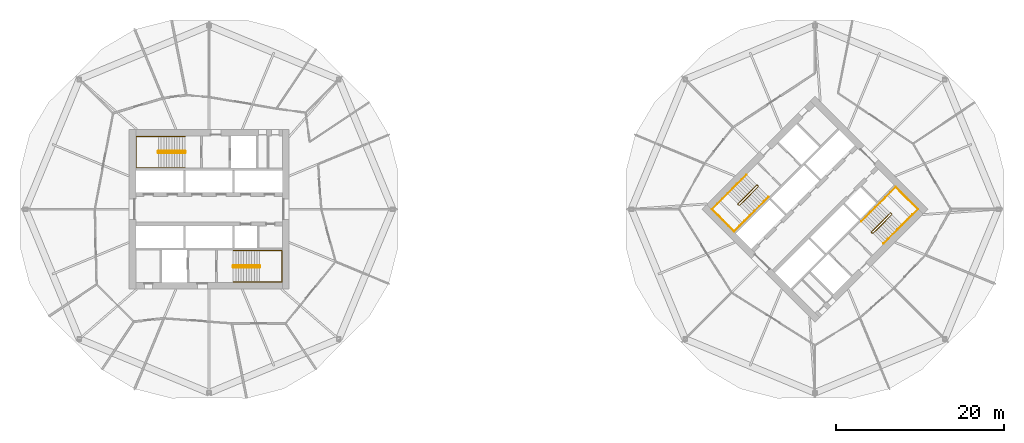
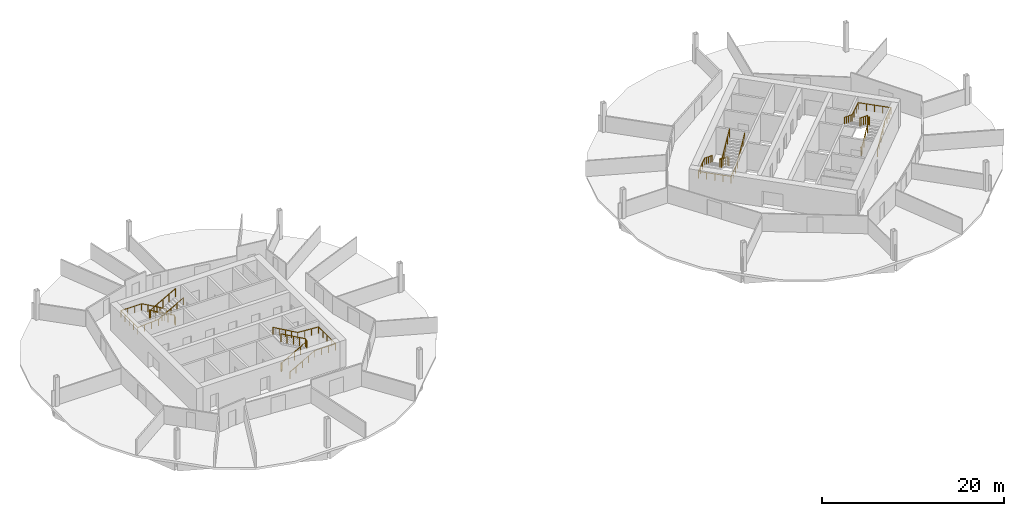
# One storey, part 9 of 9: 8 railings.
"""IFC4 building model written with IfcOpenShell, lengths in metres."""

import ifcopenshell
import ifcopenshell.guid

model = None  # the IFC model being written
_history = None  # IfcOwnerHistory: only IFC2X3 demands one
_inside = {}  # id of a spatial element -> (the spatial element, [elements in it])
_under = {}  # id of a project, library or spatial element -> (it, [spatial elements below it])
_declared = {}  # id of a project -> (the project, [libraries it declares])
_typed = {}  # id of a type object -> (the type object, [elements of that type])
_made_of = {}  # id of a material, layer set ... -> (it, [elements and type objects made of it])


def new_model(schema):
    """Start an empty IFC model of exactly this schema.

    Asked for "IFC4X3", IfcOpenShell would pick the latest addendum, in which some entities
    have other attributes; the version numbers below select the first issue.
    IFC2X3 requires an IfcOwnerHistory on every rooted entity: one is made here for all.
    """
    global model, _history
    if schema == "IFC4X3":
        model = ifcopenshell.file(schema_version=(4, 3, 0, 0))
    else:
        model = ifcopenshell.file(schema=schema)
    _inside.clear()
    _under.clear()
    _declared.clear()
    _typed.clear()
    _made_of.clear()
    _history = None
    if model.schema == "IFC2X3":
        org = make("IfcOrganization", Name="unknown")
        user = make(
            "IfcPersonAndOrganization",
            ThePerson=make("IfcPerson", FamilyName="unknown"),
            TheOrganization=org,
        )
        app = make(
            "IfcApplication",
            ApplicationDeveloper=org,
            Version="unknown",
            ApplicationFullName="unknown",
            ApplicationIdentifier="unknown",
        )
        _history = make(
            "IfcOwnerHistory",
            OwningUser=user,
            OwningApplication=app,
            ChangeAction="ADDED",
            CreationDate=0,
        )
    return model


def make(cls, **values):
    """One entity of the class cls with the attributes given. An attribute that is None is left unset."""
    return model.create_entity(
        cls, **{name: value for name, value in values.items() if value is not None}
    )


def rooted(cls, **values):
    """An entity with a GlobalId (a new one), such as an element, a storey or a relation."""
    return make(cls, GlobalId=ifcopenshell.guid.new(), OwnerHistory=_history, **values)


def si_unit(unit_type, name, prefix=None):
    """IfcSIUnit, for example si_unit("LENGTHUNIT", "METRE", prefix="MILLI")."""
    return make("IfcSIUnit", UnitType=unit_type, Prefix=prefix, Name=name)


def assignment(units):
    """IfcUnitAssignment: the units of a project."""
    return None if units is None else make("IfcUnitAssignment", Units=units)


def point(xyz):
    """IfcCartesianPoint."""
    return None if xyz is None else make("IfcCartesianPoint", Coordinates=xyz)


def direction(xyz):
    """IfcDirection."""
    return None if xyz is None else make("IfcDirection", DirectionRatios=xyz)


def frame(location, z_axis=None, x_axis=None):
    """IfcAxis2Placement3D, a coordinate frame: its origin and axes. An axis left out is left unset."""
    return make(
        "IfcAxis2Placement3D",
        Location=point(location),
        Axis=direction(z_axis),
        RefDirection=direction(x_axis),
    )


def frame_2d(location, x_axis=None):
    """IfcAxis2Placement2D, a coordinate frame in the plane: its origin and x axis."""
    return make(
        "IfcAxis2Placement2D", Location=point(location), RefDirection=direction(x_axis)
    )


def origin():
    """The frame at (0, 0, 0) with its axes left unset."""
    return frame((0.0, 0.0, 0.0))


def origin_2d():
    """The frame at (0, 0) in the plane with its x axis left unset."""
    return frame_2d((0.0, 0.0))


def place(relative_to, where):
    """IfcLocalPlacement: puts the frame where relative to a parent placement (None: the world)."""
    return make(
        "IfcLocalPlacement", PlacementRelTo=relative_to, RelativePlacement=where
    )


def context(
    kind, dimensions, precision=None, world=None, true_north=None, identifier=None
):
    """IfcGeometricRepresentationContext, for example the 3D "Model" context."""
    return make(
        "IfcGeometricRepresentationContext",
        ContextIdentifier=identifier,
        ContextType=kind,
        CoordinateSpaceDimension=dimensions,
        Precision=precision,
        WorldCoordinateSystem=world,
        TrueNorth=true_north,
    )


def subcontext(parent, identifier, kind, view, scale=None):
    """IfcGeometricRepresentationSubContext, for example "Body" below "Model"."""
    return make(
        "IfcGeometricRepresentationSubContext",
        ContextIdentifier=identifier,
        ContextType=kind,
        ParentContext=parent,
        TargetScale=scale,
        TargetView=view,
    )


def project(units=None, contexts=None):
    """IfcProject with its units and contexts."""
    return rooted(
        "IfcProject",
        Name="project",
        RepresentationContexts=contexts,
        UnitsInContext=assignment(units),
    )


def spatial(cls, under=None, at=None, **own):
    """A site, building, storey or space (cls), placed at a placement, below another one or the project."""
    s = rooted(cls, ObjectPlacement=at, **own)
    if under is not None:
        _under.setdefault(under.id(), (under, []))[1].append(s)
    return s


def profile(cls, at=None, kind="AREA", **sizes):
    """A parametric profile (cls). Its sizes go by their IFC names, for example OverallWidth=200.0."""
    return make(cls, ProfileType=kind, Position=at, **sizes)


def circle(**sizes):
    """IfcCircleProfileDef."""
    return profile("IfcCircleProfileDef", **sizes)


def extrude(swept, where, along, depth):
    """IfcExtrudedAreaSolid: the profile swept, set in the frame where, extruded along a direction by depth."""
    return make(
        "IfcExtrudedAreaSolid",
        SweptArea=swept,
        Position=where,
        ExtrudedDirection=direction(along),
        Depth=depth,
    )


def shape(context_of_items, identifier, shape_type, items):
    """IfcShapeRepresentation: the items that make up one representation, for example the "Body"."""
    return make(
        "IfcShapeRepresentation",
        ContextOfItems=context_of_items,
        RepresentationIdentifier=identifier,
        RepresentationType=shape_type,
        Items=items,
    )


def material(Name=None, Category=None):
    """IfcMaterial."""
    return make("IfcMaterial", Name=Name, Category=Category)


def made_of(thing, what):
    """Note that an element or type object is made of a material, layer set ...; save() writes the relation."""
    if what is not None:
        _made_of.setdefault(what.id(), (what, []))[1].append(thing)
    return thing


def type_object(cls, material=None, **own):
    """A type object (cls), such as IfcWallType, which elements share."""
    return made_of(rooted(cls, **own), material)


def element(
    cls,
    number,
    at=None,
    inside=None,
    cuts=None,
    type_object=None,
    material=None,
    context=None,
    identifier="Body",
    shape_type=None,
    held_by="IfcProductDefinitionShape",
    body=None,
    shapes=None,
    **own,
):
    """One element of the class cls, such as IfcWall. Its Tag is "e" and its number.

    at: its placement. inside: the storey or other place that contains it. cuts: it is an
    opening in that element (IfcRelVoidsElement). A single representation is given by context,
    identifier, shape_type and body (its items); several are given by shapes. held_by: the class
    of the entity that holds the representations. save() writes the other relations.
    """
    e = rooted(cls, Tag="e%d" % number, ObjectPlacement=at, **own)
    if body is not None:
        shapes = [shape(context, identifier, shape_type, body)]
    if shapes is not None:
        e.Representation = make(held_by, Representations=shapes)
    if inside is not None:
        _inside.setdefault(inside.id(), (inside, []))[1].append(e)
    if cuts is not None:
        rooted(
            "IfcRelVoidsElement", RelatingBuildingElement=cuts, RelatedOpeningElement=e
        )
    if type_object is not None:
        _typed.setdefault(type_object.id(), (type_object, []))[1].append(e)
    return made_of(e, material)


def aggregate(whole, parts):
    """IfcRelAggregates: a whole, such as a stair, and the parts it consists of."""
    return rooted("IfcRelAggregates", RelatingObject=whole, RelatedObjects=parts)


def save(model, path):
    """Write the relations noted so far, then the file.

    IfcRelAggregates (storeys below a building ...), IfcRelContainedInSpatialStructure (elements
    in a storey), IfcRelDefinesByType, IfcRelAssociatesMaterial and IfcRelDeclares: one each for
    every whole, place, type object, material and project.
    """
    for whole, parts in _under.values():
        aggregate(whole, parts)
    for where, things in _inside.values():
        rooted(
            "IfcRelContainedInSpatialStructure",
            RelatedElements=things,
            RelatingStructure=where,
        )
    for kind, things in _typed.values():
        rooted("IfcRelDefinesByType", RelatedObjects=things, RelatingType=kind)
    for what, things in _made_of.values():
        rooted("IfcRelAssociatesMaterial", RelatedObjects=things, RelatingMaterial=what)
    for by, libraries in _declared.values():
        rooted("IfcRelDeclares", RelatingContext=by, RelatedDefinitions=libraries)
    model.write(path)


model = new_model("IFC4")

# Units and contexts
model_context = context("Model", 3, precision=1e-05, world=origin(), true_north=direction((0.0, 1.0)))
body_context = subcontext(model_context, "Body", "Model", "MODEL_VIEW")
ifc_project = project(units=[si_unit("LENGTHUNIT", "METRE"), si_unit("AREAUNIT", "SQUARE_METRE"), si_unit("VOLUMEUNIT", "CUBIC_METRE"), si_unit("PLANEANGLEUNIT", "RADIAN"), si_unit("MASSUNIT", "GRAM", prefix="KILO")], contexts=[model_context])

# Site, building, storey
site_placement = place(None, origin())
site = spatial("IfcSite", under=ifc_project, at=site_placement, CompositionType="ELEMENT")
building_placement = place(site_placement, origin())
building = spatial("IfcBuilding", under=site, at=building_placement, Name="Ogive Gate Towers", CompositionType="ELEMENT")
storey_placement = place(building_placement, frame((0.0, 0.0, 40.199951171875)))
storey = spatial("IfcBuildingStorey", under=building, at=storey_placement, Name="L08", CompositionType="ELEMENT", Elevation=40.199951171875)

# Railings
ifc_material = material(Name="Stainless steel", Category="steel")
railing_type_1 = type_object("IfcRailingType", Name="Stair guard 1100", PredefinedType="GUARDRAIL", material=ifc_material)
railing_1_placement = place(storey_placement, frame((-38.81494140625, 6.860107421875, 0.0)))
element("IfcRailing", 1, at=railing_1_placement, inside=storey, type_object=railing_type_1, Name="L08 ST1 stair guard 1", PredefinedType="GUARDRAIL", context=body_context, shape_type="SweptSolid", body=[
    extrude(circle(Radius=0.02392578125, at=origin_2d()), frame((0.0, 0.0, 1.076171875), z_axis=(0.0, -1.0, 0.0), x_axis=(1.0, 0.0, 0.0)), (0.0, 0.0, 1.0), 0.14501953125),
    extrude(circle(Radius=0.02392578125, at=origin_2d()), frame((0.0, -0.14501953125, 1.076171875), z_axis=(-0.186679794065, 0.726685247142, 0.661119660934), x_axis=(-0.968551454522, -0.24881334358, 0.0)), (0.0, 0.0, 1.0), 0.26806640625),
    extrude(circle(Radius=0.02392578125, at=origin_2d()), frame((-0.050048828125, 0.0498046875, 1.25341796875), z_axis=(-0.870572935281, 0.0, 0.492039393094), x_axis=(0.0, -1.0, 0.0)), (0.0, 0.0, 1.0), 3.602783203125),
    extrude(circle(Radius=0.02392578125, at=origin_2d()), frame((-3.1865234375, 0.0498046875, 3.02587890625), z_axis=(-0.707106781187, -0.707106781187, 0.0), x_axis=(0.707106781187, -0.707106781187, 0.0)), (0.0, 0.0, 1.0), 0.0703125),
    extrude(circle(Radius=0.02392578125, at=origin_2d()), frame((-3.236328125, 0.0, 3.02587890625), z_axis=(0.0, -1.0, 0.0), x_axis=(1.0, 0.0, 0.0)), (0.0, 0.0, 1.0), 0.14501953125),
    extrude(circle(Radius=0.02392578125, at=origin_2d()), frame((-3.236328125, -0.14501953125, 3.02587890625), z_axis=(0.260731885961, -0.262009983441, 0.929176868105), x_axis=(0.708833529934, 0.705375805398, 0.0)), (0.0, 0.0, 1.0), 0.19091796875),
    extrude(circle(Radius=0.02392578125, at=origin_2d()), frame((-3.1865234375, -0.195068359375, 3.20361328125), z_axis=(0.870572935281, 0.0, 0.492039393094), x_axis=(0.0, 1.0, 0.0)), (0.0, 0.0, 1.0), 3.602783203125),
    extrude(circle(Radius=0.02099609375, at=origin_2d()), origin(), (0.0, 0.0, 1.0), 1.052001953125),
    extrude(circle(Radius=0.02099609375, at=origin_2d()), frame((0.0, -0.14501953125, 0.0)), (0.0, 0.0, 1.0), 1.052001953125),
    extrude(circle(Radius=0.02099609375, at=origin_2d()), frame((-0.050048828125, 0.0498046875, 0.17724609375)), (0.0, 0.0, 1.0), 1.052001953125),
    extrude(circle(Radius=0.02099609375, at=origin_2d()), frame((-0.834228515625, 0.0498046875, 0.620361328125)), (0.0, 0.0, 1.0), 1.052001953125),
    extrude(circle(Radius=0.02099609375, at=origin_2d()), frame((-1.6181640625, 0.0498046875, 1.0634765625)), (0.0, 0.0, 1.0), 1.052001953125),
    extrude(circle(Radius=0.02099609375, at=origin_2d()), frame((-2.40234375, 0.0498046875, 1.5068359375)), (0.0, 0.0, 1.0), 1.052001953125),
    extrude(circle(Radius=0.02099609375, at=origin_2d()), frame((-3.1865234375, 0.0498046875, 1.949951171875)), (0.0, 0.0, 1.0), 1.052001953125),
    extrude(circle(Radius=0.02099609375, at=origin_2d()), frame((-3.236328125, 0.0, 1.949951171875)), (0.0, 0.0, 1.0), 1.052001953125),
    extrude(circle(Radius=0.02099609375, at=origin_2d()), frame((-3.236328125, -0.14501953125, 1.949951171875)), (0.0, 0.0, 1.0), 1.052001953125),
    extrude(circle(Radius=0.02099609375, at=origin_2d()), frame((-3.1865234375, -0.195068359375, 2.12744140625)), (0.0, 0.0, 1.0), 1.052001953125),
    extrude(circle(Radius=0.02099609375, at=origin_2d()), frame((-2.40234375, -0.195068359375, 2.570556640625)), (0.0, 0.0, 1.0), 1.052001953125),
    extrude(circle(Radius=0.02099609375, at=origin_2d()), frame((-1.6181640625, -0.195068359375, 3.013671875)), (0.0, 0.0, 1.0), 1.052001953125),
    extrude(circle(Radius=0.02099609375, at=origin_2d()), frame((-0.834228515625, -0.195068359375, 3.45703125)), (0.0, 0.0, 1.0), 1.052001953125),
    extrude(circle(Radius=0.02099609375, at=origin_2d()), frame((-0.050048828125, -0.195068359375, 3.900146484375)), (0.0, 0.0, 1.0), 1.052001953125),
])
railing_2_placement = place(storey_placement, frame((-33.18505859375, -6.860107421875, 0.0)))
element("IfcRailing", 2, at=railing_2_placement, inside=storey, type_object=railing_type_1, Name="L08 ST2 stair guard 1", PredefinedType="GUARDRAIL", context=body_context, shape_type="SweptSolid", body=[
    extrude(circle(Radius=0.02392578125, at=origin_2d()), frame((0.0, 0.0, 1.076171875), z_axis=(0.0, 1.0, 0.0), x_axis=(-1.0, 0.0, 0.0)), (0.0, 0.0, 1.0), 0.14501953125),
    extrude(circle(Radius=0.02392578125, at=origin_2d()), frame((0.0, 0.14501953125, 1.076171875), z_axis=(0.186679794065, -0.726685247142, 0.661119660934), x_axis=(0.968551454522, 0.24881334358, 0.0)), (0.0, 0.0, 1.0), 0.26806640625),
    extrude(circle(Radius=0.02392578125, at=origin_2d()), frame((0.050048828125, -0.0498046875, 1.25341796875), z_axis=(0.870572935281, 0.0, 0.492039393094), x_axis=(0.0, 1.0, 0.0)), (0.0, 0.0, 1.0), 3.602783203125),
    extrude(circle(Radius=0.02392578125, at=origin_2d()), frame((3.1865234375, -0.0498046875, 3.02587890625), z_axis=(0.707106781187, 0.707106781187, 0.0), x_axis=(-0.707106781187, 0.707106781187, 0.0)), (0.0, 0.0, 1.0), 0.0703125),
    extrude(circle(Radius=0.02392578125, at=origin_2d()), frame((3.236328125, 0.0, 3.02587890625), z_axis=(0.0, 1.0, 0.0), x_axis=(-1.0, 0.0, 0.0)), (0.0, 0.0, 1.0), 0.14501953125),
    extrude(circle(Radius=0.02392578125, at=origin_2d()), frame((3.236328125, 0.14501953125, 3.02587890625), z_axis=(-0.260731885961, 0.262009983441, 0.929176868105), x_axis=(-0.708833529934, -0.705375805398, 0.0)), (0.0, 0.0, 1.0), 0.19091796875),
    extrude(circle(Radius=0.02392578125, at=origin_2d()), frame((3.1865234375, 0.195068359375, 3.20361328125), z_axis=(-0.870572935281, 0.0, 0.492039393094), x_axis=(0.0, -1.0, 0.0)), (0.0, 0.0, 1.0), 3.602783203125),
    extrude(circle(Radius=0.02099609375, at=origin_2d()), origin(), (0.0, 0.0, 1.0), 1.052001953125),
    extrude(circle(Radius=0.02099609375, at=origin_2d()), frame((0.0, 0.14501953125, 0.0)), (0.0, 0.0, 1.0), 1.052001953125),
    extrude(circle(Radius=0.02099609375, at=origin_2d()), frame((0.050048828125, -0.0498046875, 0.17724609375)), (0.0, 0.0, 1.0), 1.052001953125),
    extrude(circle(Radius=0.02099609375, at=origin_2d()), frame((0.834228515625, -0.0498046875, 0.620361328125)), (0.0, 0.0, 1.0), 1.052001953125),
    extrude(circle(Radius=0.02099609375, at=origin_2d()), frame((1.6181640625, -0.0498046875, 1.0634765625)), (0.0, 0.0, 1.0), 1.052001953125),
    extrude(circle(Radius=0.02099609375, at=origin_2d()), frame((2.40234375, -0.0498046875, 1.5068359375)), (0.0, 0.0, 1.0), 1.052001953125),
    extrude(circle(Radius=0.02099609375, at=origin_2d()), frame((3.1865234375, -0.0498046875, 1.949951171875)), (0.0, 0.0, 1.0), 1.052001953125),
    extrude(circle(Radius=0.02099609375, at=origin_2d()), frame((3.236328125, 0.0, 1.949951171875)), (0.0, 0.0, 1.0), 1.052001953125),
    extrude(circle(Radius=0.02099609375, at=origin_2d()), frame((3.236328125, 0.14501953125, 1.949951171875)), (0.0, 0.0, 1.0), 1.052001953125),
    extrude(circle(Radius=0.02099609375, at=origin_2d()), frame((3.1865234375, 0.195068359375, 2.12744140625)), (0.0, 0.0, 1.0), 1.052001953125),
    extrude(circle(Radius=0.02099609375, at=origin_2d()), frame((2.40234375, 0.195068359375, 2.570556640625)), (0.0, 0.0, 1.0), 1.052001953125),
    extrude(circle(Radius=0.02099609375, at=origin_2d()), frame((1.6181640625, 0.195068359375, 3.013671875)), (0.0, 0.0, 1.0), 1.052001953125),
    extrude(circle(Radius=0.02099609375, at=origin_2d()), frame((0.834228515625, 0.195068359375, 3.45703125)), (0.0, 0.0, 1.0), 1.052001953125),
    extrude(circle(Radius=0.02099609375, at=origin_2d()), frame((0.050048828125, 0.195068359375, 3.900146484375)), (0.0, 0.0, 1.0), 1.052001953125),
])
railing_3_placement = place(storey_placement, frame((29.15869140625, 2.8603515625, 0.0)))
element("IfcRailing", 3, at=railing_3_placement, inside=storey, type_object=railing_type_1, Name="L08 ST1 stair guard 1", PredefinedType="GUARDRAIL", context=body_context, shape_type="SweptSolid", body=[
    extrude(circle(Radius=0.02392578125, at=origin_2d()), frame((0.0, 0.0, 1.076171875), z_axis=(0.707106781187, -0.707106781187, 0.0), x_axis=(0.707106781187, 0.707106781187, 0.0)), (0.0, 0.0, 1.0), 0.14501953125),
    extrude(circle(Radius=0.02392578125, at=origin_2d()), frame((0.1025390625, -0.1025390625, 1.076171875), z_axis=(-0.645571447971, 0.382425963537, 0.661050594114), x_axis=(-0.509669330572, -0.860370369942, 0.0)), (0.0, 0.0, 1.0), 0.26806640625),
    extrude(circle(Radius=0.02392578125, at=origin_2d()), frame((-0.070556640625, 0.0, 1.25341796875), z_axis=(-0.61558473135, -0.61558473135, 0.49204763698), x_axis=(0.707106781187, -0.707106781187, 0.0)), (0.0, 0.0, 1.0), 3.602783203125),
    extrude(circle(Radius=0.02392578125, at=origin_2d()), frame((-2.288330078125, -2.2177734375, 3.02587890625), z_axis=(0.0, -1.0, 0.0), x_axis=(1.0, 0.0, 0.0)), (0.0, 0.0, 1.0), 0.07080078125),
    extrude(circle(Radius=0.02392578125, at=origin_2d()), frame((-2.288330078125, -2.28857421875, 3.02587890625), z_axis=(0.707106781187, -0.707106781187, 0.0), x_axis=(0.707106781187, 0.707106781187, 0.0)), (0.0, 0.0, 1.0), 0.14501953125),
    extrude(circle(Radius=0.02392578125, at=origin_2d()), frame((-2.185791015625, -2.39111328125, 3.02587890625), z_axis=(0.369406379806, 0.0, 0.92926795197), x_axis=(0.0, 1.0, 0.0)), (0.0, 0.0, 1.0), 0.19091796875),
    extrude(circle(Radius=0.02392578125, at=origin_2d()), frame((-2.115234375, -2.39111328125, 3.20361328125), z_axis=(0.61558473135, 0.61558473135, 0.49204763698), x_axis=(-0.707106781187, 0.707106781187, 0.0)), (0.0, 0.0, 1.0), 3.602783203125),
    extrude(circle(Radius=0.02099609375, at=origin_2d()), origin(), (0.0, 0.0, 1.0), 1.052001953125),
    extrude(circle(Radius=0.02099609375, at=origin_2d()), frame((0.1025390625, -0.1025390625, 0.0)), (0.0, 0.0, 1.0), 1.052001953125),
    extrude(circle(Radius=0.02099609375, at=origin_2d()), frame((-0.070556640625, 0.0, 0.17724609375)), (0.0, 0.0, 1.0), 1.052001953125),
    extrude(circle(Radius=0.02099609375, at=origin_2d()), frame((-0.625, -0.554443359375, 0.620361328125)), (0.0, 0.0, 1.0), 1.052001953125),
    extrude(circle(Radius=0.02099609375, at=origin_2d()), frame((-1.179443359375, -1.10888671875, 1.0634765625)), (0.0, 0.0, 1.0), 1.052001953125),
    extrude(circle(Radius=0.02099609375, at=origin_2d()), frame((-1.73388671875, -1.663330078125, 1.5068359375)), (0.0, 0.0, 1.0), 1.052001953125),
    extrude(circle(Radius=0.02099609375, at=origin_2d()), frame((-2.288330078125, -2.2177734375, 1.949951171875)), (0.0, 0.0, 1.0), 1.052001953125),
    extrude(circle(Radius=0.02099609375, at=origin_2d()), frame((-2.288330078125, -2.28857421875, 1.949951171875)), (0.0, 0.0, 1.0), 1.052001953125),
    extrude(circle(Radius=0.02099609375, at=origin_2d()), frame((-2.185791015625, -2.39111328125, 1.949951171875)), (0.0, 0.0, 1.0), 1.052001953125),
    extrude(circle(Radius=0.02099609375, at=origin_2d()), frame((-2.115234375, -2.39111328125, 2.12744140625)), (0.0, 0.0, 1.0), 1.052001953125),
    extrude(circle(Radius=0.02099609375, at=origin_2d()), frame((-1.560791015625, -1.836669921875, 2.570556640625)), (0.0, 0.0, 1.0), 1.052001953125),
    extrude(circle(Radius=0.02099609375, at=origin_2d()), frame((-1.00634765625, -1.2822265625, 3.013671875)), (0.0, 0.0, 1.0), 1.052001953125),
    extrude(circle(Radius=0.02099609375, at=origin_2d()), frame((-0.451904296875, -0.727783203125, 3.45703125)), (0.0, 0.0, 1.0), 1.052001953125),
    extrude(circle(Radius=0.02099609375, at=origin_2d()), frame((0.1025390625, -0.17333984375, 3.900146484375)), (0.0, 0.0, 1.0), 1.052001953125),
])
railing_4_placement = place(storey_placement, frame((42.84130859375, -2.8603515625, 0.0)))
element("IfcRailing", 4, at=railing_4_placement, inside=storey, type_object=railing_type_1, Name="L08 ST2 stair guard 1", PredefinedType="GUARDRAIL", context=body_context, shape_type="SweptSolid", body=[
    extrude(circle(Radius=0.02392578125, at=origin_2d()), frame((0.0, 0.0, 1.076171875), z_axis=(-0.707106781187, 0.707106781187, 0.0), x_axis=(-0.707106781187, -0.707106781187, 0.0)), (0.0, 0.0, 1.0), 0.14501953125),
    extrude(circle(Radius=0.02392578125, at=origin_2d()), frame((-0.1025390625, 0.1025390625, 1.076171875), z_axis=(0.645571447971, -0.382425963537, 0.661050594114), x_axis=(0.509669330572, 0.860370369942, 0.0)), (0.0, 0.0, 1.0), 0.26806640625),
    extrude(circle(Radius=0.02392578125, at=origin_2d()), frame((0.070556640625, 0.0, 1.25341796875), z_axis=(0.61558473135, 0.61558473135, 0.49204763698), x_axis=(-0.707106781187, 0.707106781187, 0.0)), (0.0, 0.0, 1.0), 3.602783203125),
    extrude(circle(Radius=0.02392578125, at=origin_2d()), frame((2.288330078125, 2.2177734375, 3.02587890625), z_axis=(0.0, 1.0, 0.0), x_axis=(-1.0, 0.0, 0.0)), (0.0, 0.0, 1.0), 0.07080078125),
    extrude(circle(Radius=0.02392578125, at=origin_2d()), frame((2.288330078125, 2.28857421875, 3.02587890625), z_axis=(-0.707106781187, 0.707106781187, 0.0), x_axis=(-0.707106781187, -0.707106781187, 0.0)), (0.0, 0.0, 1.0), 0.14501953125),
    extrude(circle(Radius=0.02392578125, at=origin_2d()), frame((2.185791015625, 2.39111328125, 3.02587890625), z_axis=(-0.369406379806, 0.0, 0.92926795197), x_axis=(0.0, -1.0, 0.0)), (0.0, 0.0, 1.0), 0.19091796875),
    extrude(circle(Radius=0.02392578125, at=origin_2d()), frame((2.115234375, 2.39111328125, 3.20361328125), z_axis=(-0.61558473135, -0.61558473135, 0.49204763698), x_axis=(0.707106781187, -0.707106781187, 0.0)), (0.0, 0.0, 1.0), 3.602783203125),
    extrude(circle(Radius=0.02099609375, at=origin_2d()), origin(), (0.0, 0.0, 1.0), 1.052001953125),
    extrude(circle(Radius=0.02099609375, at=origin_2d()), frame((-0.1025390625, 0.1025390625, 0.0)), (0.0, 0.0, 1.0), 1.052001953125),
    extrude(circle(Radius=0.02099609375, at=origin_2d()), frame((0.070556640625, 0.0, 0.17724609375)), (0.0, 0.0, 1.0), 1.052001953125),
    extrude(circle(Radius=0.02099609375, at=origin_2d()), frame((0.625, 0.554443359375, 0.620361328125)), (0.0, 0.0, 1.0), 1.052001953125),
    extrude(circle(Radius=0.02099609375, at=origin_2d()), frame((1.179443359375, 1.10888671875, 1.0634765625)), (0.0, 0.0, 1.0), 1.052001953125),
    extrude(circle(Radius=0.02099609375, at=origin_2d()), frame((1.73388671875, 1.663330078125, 1.5068359375)), (0.0, 0.0, 1.0), 1.052001953125),
    extrude(circle(Radius=0.02099609375, at=origin_2d()), frame((2.288330078125, 2.2177734375, 1.949951171875)), (0.0, 0.0, 1.0), 1.052001953125),
    extrude(circle(Radius=0.02099609375, at=origin_2d()), frame((2.288330078125, 2.28857421875, 1.949951171875)), (0.0, 0.0, 1.0), 1.052001953125),
    extrude(circle(Radius=0.02099609375, at=origin_2d()), frame((2.185791015625, 2.39111328125, 1.949951171875)), (0.0, 0.0, 1.0), 1.052001953125),
    extrude(circle(Radius=0.02099609375, at=origin_2d()), frame((2.115234375, 2.39111328125, 2.12744140625)), (0.0, 0.0, 1.0), 1.052001953125),
    extrude(circle(Radius=0.02099609375, at=origin_2d()), frame((1.560791015625, 1.836669921875, 2.570556640625)), (0.0, 0.0, 1.0), 1.052001953125),
    extrude(circle(Radius=0.02099609375, at=origin_2d()), frame((1.00634765625, 1.2822265625, 3.013671875)), (0.0, 0.0, 1.0), 1.052001953125),
    extrude(circle(Radius=0.02099609375, at=origin_2d()), frame((0.451904296875, 0.727783203125, 3.45703125)), (0.0, 0.0, 1.0), 1.052001953125),
    extrude(circle(Radius=0.02099609375, at=origin_2d()), frame((-0.1025390625, 0.17333984375, 3.900146484375)), (0.0, 0.0, 1.0), 1.052001953125),
])
railing_type_2 = type_object("IfcRailingType", Name="Stair handrail 900", PredefinedType="HANDRAIL", material=ifc_material)
railing_5_placement = place(storey_placement, frame((-38.864990234375, 8.64990234375, 0.17724609375)))
element("IfcRailing", 5, at=railing_5_placement, inside=storey, type_object=railing_type_2, Name="L08 ST1 stair handrail 1", PredefinedType="HANDRAIL", context=body_context, shape_type="SweptSolid", body=[
    extrude(circle(Radius=0.02392578125, at=origin_2d()), frame((0.0, 0.0, 0.8759765625), z_axis=(-0.870572935281, 0.0, 0.492039393094), x_axis=(0.0, -1.0, 0.0)), (0.0, 0.0, 1.0), 3.602783203125),
    extrude(circle(Radius=0.02392578125, at=origin_2d()), frame((-3.136474609375, 0.0, 2.6484375), z_axis=(-1.0, 0.0, 0.0), x_axis=(0.0, -1.0, 0.0)), (0.0, 0.0, 1.0), 2.6484375),
    extrude(circle(Radius=0.02392578125, at=origin_2d()), frame((-5.784912109375, 0.0, 2.6484375), z_axis=(0.0, -1.0, 0.0), x_axis=(1.0, 0.0, 0.0)), (0.0, 0.0, 1.0), 3.724853515625),
    extrude(circle(Radius=0.02392578125, at=origin_2d()), frame((-5.784912109375, -3.724853515625, 2.6484375), z_axis=(0.997761899551, 0.0, 0.06686697096), x_axis=(0.0, 1.0, 0.0)), (0.0, 0.0, 1.0), 2.654296875),
    extrude(circle(Radius=0.02392578125, at=origin_2d()), frame((-3.136474609375, -3.724853515625, 2.826171875), z_axis=(0.870572935281, 0.0, 0.492039393094), x_axis=(0.0, 1.0, 0.0)), (0.0, 0.0, 1.0), 3.602783203125),
    extrude(circle(Radius=0.02099609375, at=origin_2d()), origin(), (0.0, 0.0, 1.0), 0.851806640625),
    extrude(circle(Radius=0.02099609375, at=origin_2d()), frame((-0.7841796875, 0.0, 0.443115234375)), (0.0, 0.0, 1.0), 0.851806640625),
    extrude(circle(Radius=0.02099609375, at=origin_2d()), frame((-1.568359375, 0.0, 0.88623046875)), (0.0, 0.0, 1.0), 0.851806640625),
    extrude(circle(Radius=0.02099609375, at=origin_2d()), frame((-2.352294921875, 0.0, 1.32958984375)), (0.0, 0.0, 1.0), 0.851806640625),
    extrude(circle(Radius=0.02099609375, at=origin_2d()), frame((-3.136474609375, 0.0, 1.772705078125)), (0.0, 0.0, 1.0), 0.851806640625),
    extrude(circle(Radius=0.02099609375, at=origin_2d()), frame((-4.019287109375, 0.0, 1.772705078125)), (0.0, 0.0, 1.0), 0.851806640625),
    extrude(circle(Radius=0.02099609375, at=origin_2d()), frame((-4.902099609375, 0.0, 1.772705078125)), (0.0, 0.0, 1.0), 0.851806640625),
    extrude(circle(Radius=0.02099609375, at=origin_2d()), frame((-5.784912109375, 0.0, 1.772705078125)), (0.0, 0.0, 1.0), 0.851806640625),
    extrude(circle(Radius=0.02099609375, at=origin_2d()), frame((-5.784912109375, -0.93115234375, 1.772705078125)), (0.0, 0.0, 1.0), 0.851806640625),
    extrude(circle(Radius=0.02099609375, at=origin_2d()), frame((-5.784912109375, -1.8623046875, 1.772705078125)), (0.0, 0.0, 1.0), 0.851806640625),
    extrude(circle(Radius=0.02099609375, at=origin_2d()), frame((-5.784912109375, -2.793701171875, 1.772705078125)), (0.0, 0.0, 1.0), 0.851806640625),
    extrude(circle(Radius=0.02099609375, at=origin_2d()), frame((-5.784912109375, -3.724853515625, 1.772705078125)), (0.0, 0.0, 1.0), 0.851806640625),
    extrude(circle(Radius=0.02099609375, at=origin_2d()), frame((-4.902099609375, -3.724853515625, 1.831787109375)), (0.0, 0.0, 1.0), 0.851806640625),
    extrude(circle(Radius=0.02099609375, at=origin_2d()), frame((-4.019287109375, -3.724853515625, 1.89111328125)), (0.0, 0.0, 1.0), 0.851806640625),
    extrude(circle(Radius=0.02099609375, at=origin_2d()), frame((-3.136474609375, -3.724853515625, 1.9501953125)), (0.0, 0.0, 1.0), 0.851806640625),
    extrude(circle(Radius=0.02099609375, at=origin_2d()), frame((-2.352294921875, -3.724853515625, 2.393310546875)), (0.0, 0.0, 1.0), 0.851806640625),
    extrude(circle(Radius=0.02099609375, at=origin_2d()), frame((-1.568359375, -3.724853515625, 2.83642578125)), (0.0, 0.0, 1.0), 0.851806640625),
    extrude(circle(Radius=0.02099609375, at=origin_2d()), frame((-0.7841796875, -3.724853515625, 3.27978515625)), (0.0, 0.0, 1.0), 0.851806640625),
    extrude(circle(Radius=0.02099609375, at=origin_2d()), frame((0.0, -3.724853515625, 3.722900390625)), (0.0, 0.0, 1.0), 0.851806640625),
])
railing_6_placement = place(storey_placement, frame((-33.135009765625, -8.64990234375, 0.17724609375)))
element("IfcRailing", 6, at=railing_6_placement, inside=storey, type_object=railing_type_2, Name="L08 ST2 stair handrail 1", PredefinedType="HANDRAIL", context=body_context, shape_type="SweptSolid", body=[
    extrude(circle(Radius=0.02392578125, at=origin_2d()), frame((0.0, 0.0, 0.8759765625), z_axis=(0.870572935281, 0.0, 0.492039393094), x_axis=(0.0, 1.0, 0.0)), (0.0, 0.0, 1.0), 3.602783203125),
    extrude(circle(Radius=0.02392578125, at=origin_2d()), frame((3.136474609375, 0.0, 2.6484375), z_axis=(1.0, 0.0, 0.0), x_axis=(0.0, 1.0, 0.0)), (0.0, 0.0, 1.0), 2.6484375),
    extrude(circle(Radius=0.02392578125, at=origin_2d()), frame((5.784912109375, 0.0, 2.6484375), z_axis=(0.0, 1.0, 0.0), x_axis=(-1.0, 0.0, 0.0)), (0.0, 0.0, 1.0), 3.724853515625),
    extrude(circle(Radius=0.02392578125, at=origin_2d()), frame((5.784912109375, 3.724853515625, 2.6484375), z_axis=(-0.997761899551, 0.0, 0.06686697096), x_axis=(0.0, -1.0, 0.0)), (0.0, 0.0, 1.0), 2.654296875),
    extrude(circle(Radius=0.02392578125, at=origin_2d()), frame((3.136474609375, 3.724853515625, 2.826171875), z_axis=(-0.870572935281, 0.0, 0.492039393094), x_axis=(0.0, -1.0, 0.0)), (0.0, 0.0, 1.0), 3.602783203125),
    extrude(circle(Radius=0.02099609375, at=origin_2d()), origin(), (0.0, 0.0, 1.0), 0.851806640625),
    extrude(circle(Radius=0.02099609375, at=origin_2d()), frame((0.7841796875, 0.0, 0.443115234375)), (0.0, 0.0, 1.0), 0.851806640625),
    extrude(circle(Radius=0.02099609375, at=origin_2d()), frame((1.568359375, 0.0, 0.88623046875)), (0.0, 0.0, 1.0), 0.851806640625),
    extrude(circle(Radius=0.02099609375, at=origin_2d()), frame((2.352294921875, 0.0, 1.32958984375)), (0.0, 0.0, 1.0), 0.851806640625),
    extrude(circle(Radius=0.02099609375, at=origin_2d()), frame((3.136474609375, 0.0, 1.772705078125)), (0.0, 0.0, 1.0), 0.851806640625),
    extrude(circle(Radius=0.02099609375, at=origin_2d()), frame((4.019287109375, 0.0, 1.772705078125)), (0.0, 0.0, 1.0), 0.851806640625),
    extrude(circle(Radius=0.02099609375, at=origin_2d()), frame((4.902099609375, 0.0, 1.772705078125)), (0.0, 0.0, 1.0), 0.851806640625),
    extrude(circle(Radius=0.02099609375, at=origin_2d()), frame((5.784912109375, 0.0, 1.772705078125)), (0.0, 0.0, 1.0), 0.851806640625),
    extrude(circle(Radius=0.02099609375, at=origin_2d()), frame((5.784912109375, 0.93115234375, 1.772705078125)), (0.0, 0.0, 1.0), 0.851806640625),
    extrude(circle(Radius=0.02099609375, at=origin_2d()), frame((5.784912109375, 1.8623046875, 1.772705078125)), (0.0, 0.0, 1.0), 0.851806640625),
    extrude(circle(Radius=0.02099609375, at=origin_2d()), frame((5.784912109375, 2.793701171875, 1.772705078125)), (0.0, 0.0, 1.0), 0.851806640625),
    extrude(circle(Radius=0.02099609375, at=origin_2d()), frame((5.784912109375, 3.724853515625, 1.772705078125)), (0.0, 0.0, 1.0), 0.851806640625),
    extrude(circle(Radius=0.02099609375, at=origin_2d()), frame((4.902099609375, 3.724853515625, 1.831787109375)), (0.0, 0.0, 1.0), 0.851806640625),
    extrude(circle(Radius=0.02099609375, at=origin_2d()), frame((4.019287109375, 3.724853515625, 1.89111328125)), (0.0, 0.0, 1.0), 0.851806640625),
    extrude(circle(Radius=0.02099609375, at=origin_2d()), frame((3.136474609375, 3.724853515625, 1.9501953125)), (0.0, 0.0, 1.0), 0.851806640625),
    extrude(circle(Radius=0.02099609375, at=origin_2d()), frame((2.352294921875, 3.724853515625, 2.393310546875)), (0.0, 0.0, 1.0), 0.851806640625),
    extrude(circle(Radius=0.02099609375, at=origin_2d()), frame((1.568359375, 3.724853515625, 2.83642578125)), (0.0, 0.0, 1.0), 0.851806640625),
    extrude(circle(Radius=0.02099609375, at=origin_2d()), frame((0.7841796875, 3.724853515625, 3.27978515625)), (0.0, 0.0, 1.0), 0.851806640625),
    extrude(circle(Radius=0.02099609375, at=origin_2d()), frame((0.0, 3.724853515625, 3.722900390625)), (0.0, 0.0, 1.0), 0.851806640625),
])
railing_7_placement = place(storey_placement, frame((27.857666015625, 4.090576171875, 0.17724609375)))
element("IfcRailing", 7, at=railing_7_placement, inside=storey, type_object=railing_type_2, Name="L08 ST1 stair handrail 1", PredefinedType="HANDRAIL", context=body_context, shape_type="SweptSolid", body=[
    extrude(circle(Radius=0.02392578125, at=origin_2d()), frame((0.0, 0.0, 0.8759765625), z_axis=(-0.61558473135, -0.61558473135, 0.49204763698), x_axis=(0.707106781187, -0.707106781187, 0.0)), (0.0, 0.0, 1.0), 3.602783203125),
    extrude(circle(Radius=0.02392578125, at=origin_2d()), frame((-2.2177734375, -2.2177734375, 2.6484375), z_axis=(-0.707106781187, -0.707106781187, 0.0), x_axis=(0.707106781187, -0.707106781187, 0.0)), (0.0, 0.0, 1.0), 2.6484375),
    extrude(circle(Radius=0.02392578125, at=origin_2d()), frame((-4.090576171875, -4.090576171875, 2.6484375), z_axis=(0.707106781187, -0.707106781187, 0.0), x_axis=(0.707106781187, 0.707106781187, 0.0)), (0.0, 0.0, 1.0), 3.72509765625),
    extrude(circle(Radius=0.02392578125, at=origin_2d()), frame((-1.45654296875, -6.724609375, 2.6484375), z_axis=(0.705478551472, 0.705570518432, 0.066859980044), x_axis=(-0.70715286629, 0.70706069308, 0.0)), (0.0, 0.0, 1.0), 2.654541015625),
    extrude(circle(Radius=0.02392578125, at=origin_2d()), frame((0.416259765625, -4.8515625, 2.826171875), z_axis=(0.615610411033, 0.615542642384, 0.4920681632), x_axis=(-0.70706785752, 0.70714570271, 0.0)), (0.0, 0.0, 1.0), 3.6025390625),
    extrude(circle(Radius=0.02099609375, at=origin_2d()), origin(), (0.0, 0.0, 1.0), 0.851806640625),
    extrude(circle(Radius=0.02099609375, at=origin_2d()), frame((-0.554443359375, -0.554443359375, 0.443115234375)), (0.0, 0.0, 1.0), 0.851806640625),
    extrude(circle(Radius=0.02099609375, at=origin_2d()), frame((-1.10888671875, -1.10888671875, 0.88623046875)), (0.0, 0.0, 1.0), 0.851806640625),
    extrude(circle(Radius=0.02099609375, at=origin_2d()), frame((-1.663330078125, -1.663330078125, 1.32958984375)), (0.0, 0.0, 1.0), 0.851806640625),
    extrude(circle(Radius=0.02099609375, at=origin_2d()), frame((-2.2177734375, -2.2177734375, 1.772705078125)), (0.0, 0.0, 1.0), 0.851806640625),
    extrude(circle(Radius=0.02099609375, at=origin_2d()), frame((-2.842041015625, -2.842041015625, 1.772705078125)), (0.0, 0.0, 1.0), 0.851806640625),
    extrude(circle(Radius=0.02099609375, at=origin_2d()), frame((-3.46630859375, -3.46630859375, 1.772705078125)), (0.0, 0.0, 1.0), 0.851806640625),
    extrude(circle(Radius=0.02099609375, at=origin_2d()), frame((-4.090576171875, -4.090576171875, 1.772705078125)), (0.0, 0.0, 1.0), 0.851806640625),
    extrude(circle(Radius=0.02099609375, at=origin_2d()), frame((-3.43212890625, -4.7490234375, 1.772705078125)), (0.0, 0.0, 1.0), 0.851806640625),
    extrude(circle(Radius=0.02099609375, at=origin_2d()), frame((-2.7734375, -5.40771484375, 1.772705078125)), (0.0, 0.0, 1.0), 0.851806640625),
    extrude(circle(Radius=0.02099609375, at=origin_2d()), frame((-2.114990234375, -6.066162109375, 1.772705078125)), (0.0, 0.0, 1.0), 0.851806640625),
    extrude(circle(Radius=0.02099609375, at=origin_2d()), frame((-1.45654296875, -6.724609375, 1.772705078125)), (0.0, 0.0, 1.0), 0.851806640625),
    extrude(circle(Radius=0.02099609375, at=origin_2d()), frame((-0.832275390625, -6.100341796875, 1.831787109375)), (0.0, 0.0, 1.0), 0.851806640625),
    extrude(circle(Radius=0.02099609375, at=origin_2d()), frame((-0.2080078125, -5.475830078125, 1.89111328125)), (0.0, 0.0, 1.0), 0.851806640625),
    extrude(circle(Radius=0.02099609375, at=origin_2d()), frame((0.416259765625, -4.8515625, 1.9501953125)), (0.0, 0.0, 1.0), 0.851806640625),
    extrude(circle(Radius=0.02099609375, at=origin_2d()), frame((0.970703125, -4.297119140625, 2.393310546875)), (0.0, 0.0, 1.0), 0.851806640625),
    extrude(circle(Radius=0.02099609375, at=origin_2d()), frame((1.525146484375, -3.74267578125, 2.83642578125)), (0.0, 0.0, 1.0), 0.851806640625),
    extrude(circle(Radius=0.02099609375, at=origin_2d()), frame((2.07958984375, -3.1884765625, 3.27978515625)), (0.0, 0.0, 1.0), 0.851806640625),
    extrude(circle(Radius=0.02099609375, at=origin_2d()), frame((2.634033203125, -2.634033203125, 3.722900390625)), (0.0, 0.0, 1.0), 0.851806640625),
])
railing_8_placement = place(storey_placement, frame((44.142333984375, -4.090576171875, 0.17724609375)))
element("IfcRailing", 8, at=railing_8_placement, inside=storey, type_object=railing_type_2, Name="L08 ST2 stair handrail 1", PredefinedType="HANDRAIL", context=body_context, shape_type="SweptSolid", body=[
    extrude(circle(Radius=0.02392578125, at=origin_2d()), frame((0.0, 0.0, 0.8759765625), z_axis=(0.61558473135, 0.61558473135, 0.49204763698), x_axis=(-0.707106781187, 0.707106781187, 0.0)), (0.0, 0.0, 1.0), 3.602783203125),
    extrude(circle(Radius=0.02392578125, at=origin_2d()), frame((2.2177734375, 2.2177734375, 2.6484375), z_axis=(0.707106781187, 0.707106781187, 0.0), x_axis=(-0.707106781187, 0.707106781187, 0.0)), (0.0, 0.0, 1.0), 2.6484375),
    extrude(circle(Radius=0.02392578125, at=origin_2d()), frame((4.090576171875, 4.090576171875, 2.6484375), z_axis=(-0.707106781187, 0.707106781187, 0.0), x_axis=(-0.707106781187, -0.707106781187, 0.0)), (0.0, 0.0, 1.0), 3.72509765625),
    extrude(circle(Radius=0.02392578125, at=origin_2d()), frame((1.45654296875, 6.724609375, 2.6484375), z_axis=(-0.705478551472, -0.705570518432, 0.066859980044), x_axis=(0.70715286629, -0.70706069308, 0.0)), (0.0, 0.0, 1.0), 2.654541015625),
    extrude(circle(Radius=0.02392578125, at=origin_2d()), frame((-0.416259765625, 4.8515625, 2.826171875), z_axis=(-0.615610411033, -0.615542642384, 0.4920681632), x_axis=(0.70706785752, -0.70714570271, 0.0)), (0.0, 0.0, 1.0), 3.6025390625),
    extrude(circle(Radius=0.02099609375, at=origin_2d()), origin(), (0.0, 0.0, 1.0), 0.851806640625),
    extrude(circle(Radius=0.02099609375, at=origin_2d()), frame((0.554443359375, 0.554443359375, 0.443115234375)), (0.0, 0.0, 1.0), 0.851806640625),
    extrude(circle(Radius=0.02099609375, at=origin_2d()), frame((1.10888671875, 1.10888671875, 0.88623046875)), (0.0, 0.0, 1.0), 0.851806640625),
    extrude(circle(Radius=0.02099609375, at=origin_2d()), frame((1.663330078125, 1.663330078125, 1.32958984375)), (0.0, 0.0, 1.0), 0.851806640625),
    extrude(circle(Radius=0.02099609375, at=origin_2d()), frame((2.2177734375, 2.2177734375, 1.772705078125)), (0.0, 0.0, 1.0), 0.851806640625),
    extrude(circle(Radius=0.02099609375, at=origin_2d()), frame((2.842041015625, 2.842041015625, 1.772705078125)), (0.0, 0.0, 1.0), 0.851806640625),
    extrude(circle(Radius=0.02099609375, at=origin_2d()), frame((3.46630859375, 3.46630859375, 1.772705078125)), (0.0, 0.0, 1.0), 0.851806640625),
    extrude(circle(Radius=0.02099609375, at=origin_2d()), frame((4.090576171875, 4.090576171875, 1.772705078125)), (0.0, 0.0, 1.0), 0.851806640625),
    extrude(circle(Radius=0.02099609375, at=origin_2d()), frame((3.43212890625, 4.7490234375, 1.772705078125)), (0.0, 0.0, 1.0), 0.851806640625),
    extrude(circle(Radius=0.02099609375, at=origin_2d()), frame((2.7734375, 5.40771484375, 1.772705078125)), (0.0, 0.0, 1.0), 0.851806640625),
    extrude(circle(Radius=0.02099609375, at=origin_2d()), frame((2.114990234375, 6.066162109375, 1.772705078125)), (0.0, 0.0, 1.0), 0.851806640625),
    extrude(circle(Radius=0.02099609375, at=origin_2d()), frame((1.45654296875, 6.724609375, 1.772705078125)), (0.0, 0.0, 1.0), 0.851806640625),
    extrude(circle(Radius=0.02099609375, at=origin_2d()), frame((0.832275390625, 6.100341796875, 1.831787109375)), (0.0, 0.0, 1.0), 0.851806640625),
    extrude(circle(Radius=0.02099609375, at=origin_2d()), frame((0.2080078125, 5.475830078125, 1.89111328125)), (0.0, 0.0, 1.0), 0.851806640625),
    extrude(circle(Radius=0.02099609375, at=origin_2d()), frame((-0.416259765625, 4.8515625, 1.9501953125)), (0.0, 0.0, 1.0), 0.851806640625),
    extrude(circle(Radius=0.02099609375, at=origin_2d()), frame((-0.970703125, 4.297119140625, 2.393310546875)), (0.0, 0.0, 1.0), 0.851806640625),
    extrude(circle(Radius=0.02099609375, at=origin_2d()), frame((-1.525146484375, 3.74267578125, 2.83642578125)), (0.0, 0.0, 1.0), 0.851806640625),
    extrude(circle(Radius=0.02099609375, at=origin_2d()), frame((-2.07958984375, 3.1884765625, 3.27978515625)), (0.0, 0.0, 1.0), 0.851806640625),
    extrude(circle(Radius=0.02099609375, at=origin_2d()), frame((-2.634033203125, 2.634033203125, 3.722900390625)), (0.0, 0.0, 1.0), 0.851806640625),
])

save(model, "model.ifc")
